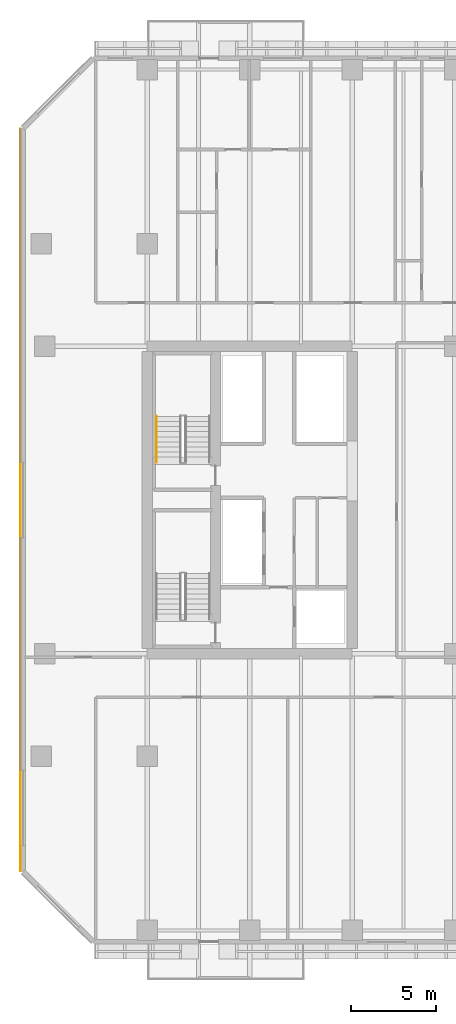
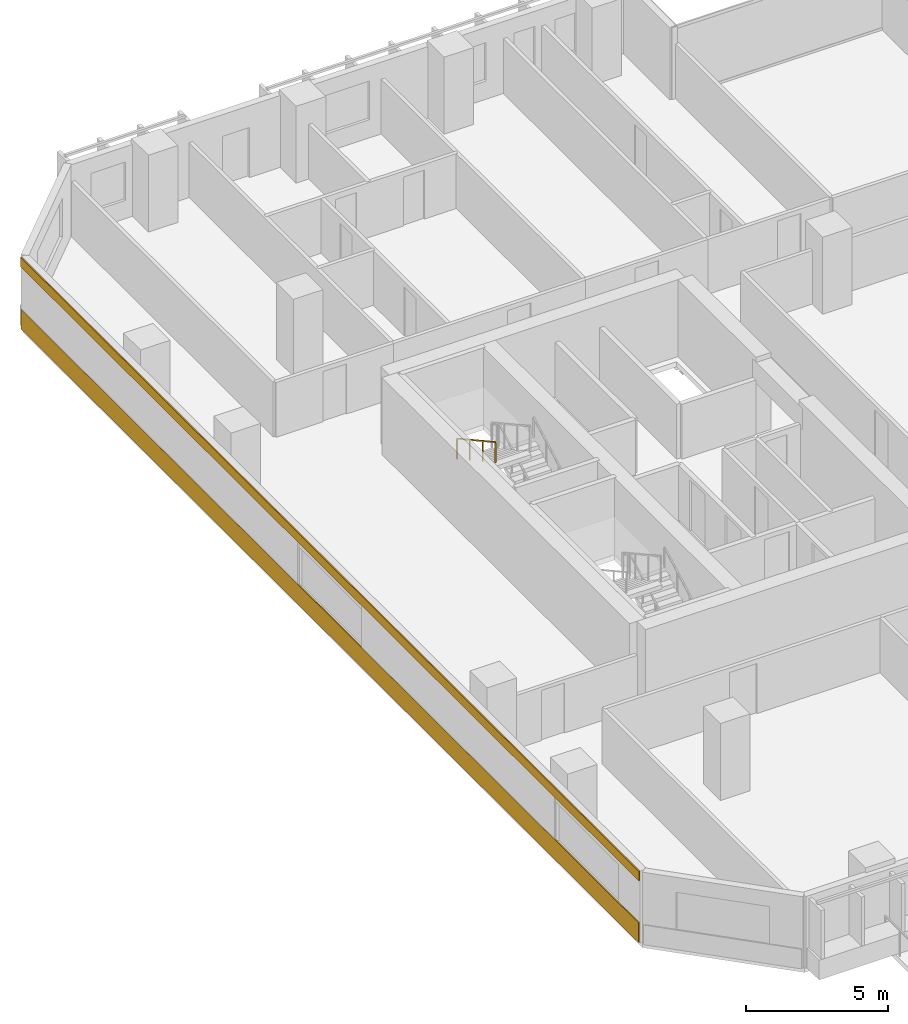
# One storey, part 18 of 25: 2 coverings, 1 railing.
"""IFC4 building model written with IfcOpenShell, lengths in metres."""

from ifc_helpers import new_model, si_unit, direction, frame, origin, origin_2d, place, context, subcontext, project, spatial, rectangle, extrude, material, layer, layer_set, type_object, element, save


model = new_model("IFC4")

# Units and contexts
model_context = context("Model", 3, precision=1e-05, world=origin(), true_north=direction((0.0, 1.0)))
body_context = subcontext(model_context, "Body", "Model", "MODEL_VIEW")
ifc_project = project(units=[si_unit("LENGTHUNIT", "METRE"), si_unit("AREAUNIT", "SQUARE_METRE"), si_unit("VOLUMEUNIT", "CUBIC_METRE"), si_unit("PLANEANGLEUNIT", "RADIAN"), si_unit("MASSUNIT", "GRAM", prefix="KILO")], contexts=[model_context])

# Site, building, storey
site_placement = place(None, origin())
site = spatial("IfcSite", under=ifc_project, at=site_placement, CompositionType="ELEMENT")
building_placement = place(site_placement, origin())
building = spatial("IfcBuilding", under=site, at=building_placement, Name="Tanjung Sevakor Pilgrim Tower", CompositionType="ELEMENT")
storey_placement = place(building_placement, frame((0.0, 0.0, 42.239990234375)))
storey = spatial("IfcBuildingStorey", under=building, at=storey_placement, Name="L11", CompositionType="ELEMENT", Elevation=42.239990234375)

# Coverings
ifc_material_1 = material(Name="Reconstructed Limestone Cladding", Category="masonry")
ifc_layer = layer(ifc_material_1, 0.044921875)
ifc_layer_set = layer_set([ifc_layer], Name="COV-CLAD-LIMESTONE")
covering_type = type_object("IfcCoveringType", Name="COV-CLAD-LIMESTONE", PredefinedType="CLADDING", material=ifc_layer_set)
covering_1_placement = place(storey_placement, frame((16.577392578125, 33.60009765625, 0.009765625), z_axis=(0.0, 0.0, 1.0), x_axis=(0.0, -1.0, 0.0)))
element("IfcCovering", 1, at=covering_1_placement, inside=storey, type_object=covering_type, Name="L11 Warm Limestone Sill Spandrel EW-L11-MAIN-15-1", PredefinedType="CLADDING", context=body_context, shape_type="SweptSolid", body=[
    extrude(rectangle(XDim=43.404052734375, YDim=0.044921875, at=origin_2d()), origin(), (0.0, 0.0, 1.0), 0.840087890625),
])
covering_2_placement = place(storey_placement, frame((16.577392578125, 33.60009765625, 2.66015625), z_axis=(0.0, 0.0, 1.0), x_axis=(0.0, -1.0, 0.0)))
element("IfcCovering", 2, at=covering_2_placement, inside=storey, type_object=covering_type, Name="L11 Warm Limestone Cornice Spandrel EW-L11-MAIN-15", PredefinedType="CLADDING", context=body_context, shape_type="SweptSolid", body=[
    extrude(rectangle(XDim=43.444091796875, YDim=0.044921875, at=origin_2d()), origin(), (0.0, 0.0, 1.0), 0.409912109375),
])

# Railing
ifc_material_2 = material(Name="Steel S355J2", Category="steel")
railing_type = type_object("IfcRailingType", Name="RL-STAIR-HAND", PredefinedType="HANDRAIL", material=ifc_material_2)
railing_placement = place(storey_placement, frame((24.550048828125, 38.5, 1.81494140625)))
element("IfcRailing", 3, at=railing_placement, inside=storey, type_object=railing_type, Name="L11 TS-W2 stair handrail 2", PredefinedType="HANDRAIL", context=body_context, shape_type="SweptSolid", body=[
    extrude(rectangle(XDim=0.0479, YDim=0.0479), frame((0.0, 0.0, 0.8759765625), z_axis=(0.0, -0.876197507361, 0.481952205197), x_axis=(1.0, 0.0, 0.0)), (0.0, 0.0, 1.0), 3.08154296875),
    extrude(rectangle(XDim=0.042, YDim=0.042), origin(), (0.0, 0.0, 1.0), 0.851806640625),
    extrude(rectangle(XDim=0.042, YDim=0.042), frame((0.0, -0.89990234375, 0.4951171875)), (0.0, 0.0, 1.0), 0.851806640625),
    extrude(rectangle(XDim=0.042, YDim=0.042), frame((0.0, -1.800048828125, 0.989990234375)), (0.0, 0.0, 1.0), 0.851806640625),
    extrude(rectangle(XDim=0.042, YDim=0.042), frame((0.0, -2.699951171875, 1.485107421875)), (0.0, 0.0, 1.0), 0.851806640625),
])

save(model, "model.ifc")
